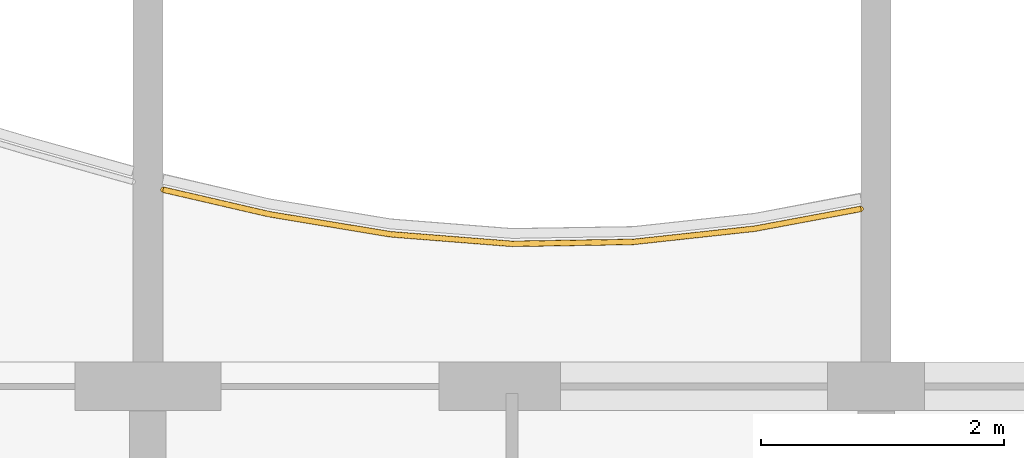
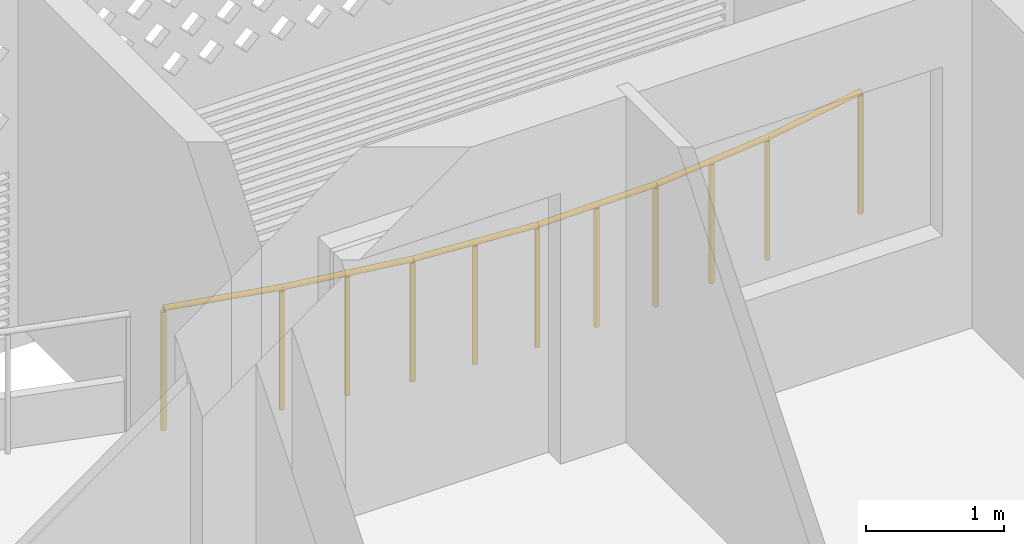
# One storey, part 29 of 32: 1 railing.
"""IFC4 building model written with IfcOpenShell, lengths in metres."""

from ifc_helpers import new_model, si_unit, direction, frame, origin, origin_2d, place, context, subcontext, project, spatial, circle, extrude, material, type_object, element, save


model = new_model("IFC4")

# Units and contexts
model_context = context("Model", 3, precision=1e-05, world=origin(), true_north=direction((0.0, 1.0)))
body_context = subcontext(model_context, "Body", "Model", "MODEL_VIEW")
ifc_project = project(units=[si_unit("LENGTHUNIT", "METRE"), si_unit("AREAUNIT", "SQUARE_METRE"), si_unit("VOLUMEUNIT", "CUBIC_METRE"), si_unit("PLANEANGLEUNIT", "RADIAN"), si_unit("MASSUNIT", "GRAM", prefix="KILO")], contexts=[model_context])

# Site, building, storey
site_placement = place(None, origin())
site = spatial("IfcSite", under=ifc_project, at=site_placement, CompositionType="ELEMENT")
building_placement = place(site_placement, origin())
building = spatial("IfcBuilding", under=site, at=building_placement, Name="Poui Terraces", CompositionType="ELEMENT")
storey_placement = place(building_placement, frame((0.0, 0.0, 125.699951171875)))
storey = spatial("IfcBuildingStorey", under=building, at=storey_placement, Name="L34", CompositionType="ELEMENT", Elevation=125.699951171875)

# Railing
ifc_material = material(Name="Painted steel fretwork", Category="steel")
railing_type = type_object("IfcRailingType", Name="BALCONY GUARD 1100", PredefinedType="GUARDRAIL", material=ifc_material)
railing_placement = place(storey_placement, frame((66.125, 44.021728515625, 0.0)))
element("IfcRailing", 1, at=railing_placement, inside=storey, type_object=railing_type, Name="BALCONY GUARD", PredefinedType="GUARDRAIL", context=body_context, shape_type="SweptSolid", body=[
    extrude(circle(Radius=0.02392578125, at=origin_2d()), frame((0.0, 0.0, 1.076171875), z_axis=(0.974276529724, -0.225355815609, 0.0), x_axis=(0.225355815609, 0.974276529724, 0.0)), (0.0, 0.0, 1.0), 0.898193359375),
    extrude(circle(Radius=0.02392578125, at=origin_2d()), frame((0.875, -0.202392578125, 1.076171875), z_axis=(0.986614372238, -0.163070783693, 0.0), x_axis=(0.163070783693, 0.986614372238, 0.0)), (0.0, 0.0, 1.0), 1.013671875),
    extrude(circle(Radius=0.02392578125, at=origin_2d()), frame((1.875, -0.36767578125, 1.076171875), z_axis=(0.996905179889, -0.07861337234, 0.0), x_axis=(0.07861337234, 0.996905179889, 0.0)), (0.0, 0.0, 1.0), 1.003173828125),
    extrude(circle(Radius=0.02392578125, at=origin_2d()), frame((2.875, -0.446533203125, 1.076171875), z_axis=(0.999870206358, 0.016111189849, 0.0), x_axis=(-0.016111189849, 0.999870206358, 0.0)), (0.0, 0.0, 1.0), 1.000244140625),
    extrude(circle(Radius=0.02392578125, at=origin_2d()), frame((3.875, -0.430419921875, 1.076171875), z_axis=(0.994124040351, 0.108246904784, 0.0), x_axis=(-0.108246904784, 0.994124040351, 0.0)), (0.0, 0.0, 1.0), 1.005859375),
    extrude(circle(Radius=0.02392578125, at=origin_2d()), frame((4.875, -0.321533203125, 1.076171875), z_axis=(0.983070349335, 0.183228513771, 0.0), x_axis=(-0.183228513771, 0.983070349335, 0.0)), (0.0, 0.0, 1.0), 0.89013671875),
    extrude(circle(Radius=0.02099609375, at=origin_2d()), origin(), (0.0, 0.0, 1.0), 1.052001953125),
    extrude(circle(Radius=0.02099609375, at=origin_2d()), frame((0.875, -0.202392578125, 0.0)), (0.0, 0.0, 1.0), 1.052001953125),
    extrude(circle(Radius=0.02099609375, at=origin_2d()), frame((1.375, -0.28515625, 0.0)), (0.0, 0.0, 1.0), 1.052001953125),
    extrude(circle(Radius=0.02099609375, at=origin_2d()), frame((1.875, -0.36767578125, 0.0)), (0.0, 0.0, 1.0), 1.052001953125),
    extrude(circle(Radius=0.02099609375, at=origin_2d()), frame((2.375, -0.4072265625, 0.0)), (0.0, 0.0, 1.0), 1.052001953125),
    extrude(circle(Radius=0.02099609375, at=origin_2d()), frame((2.875, -0.446533203125, 0.0)), (0.0, 0.0, 1.0), 1.052001953125),
    extrude(circle(Radius=0.02099609375, at=origin_2d()), frame((3.375, -0.4384765625, 0.0)), (0.0, 0.0, 1.0), 1.052001953125),
    extrude(circle(Radius=0.02099609375, at=origin_2d()), frame((3.875, -0.430419921875, 0.0)), (0.0, 0.0, 1.0), 1.052001953125),
    extrude(circle(Radius=0.02099609375, at=origin_2d()), frame((4.375, -0.3759765625, 0.0)), (0.0, 0.0, 1.0), 1.052001953125),
    extrude(circle(Radius=0.02099609375, at=origin_2d()), frame((4.875, -0.321533203125, 0.0)), (0.0, 0.0, 1.0), 1.052001953125),
    extrude(circle(Radius=0.02099609375, at=origin_2d()), frame((5.75, -0.158447265625, 0.0)), (0.0, 0.0, 1.0), 1.052001953125),
])

save(model, "model.ifc")
